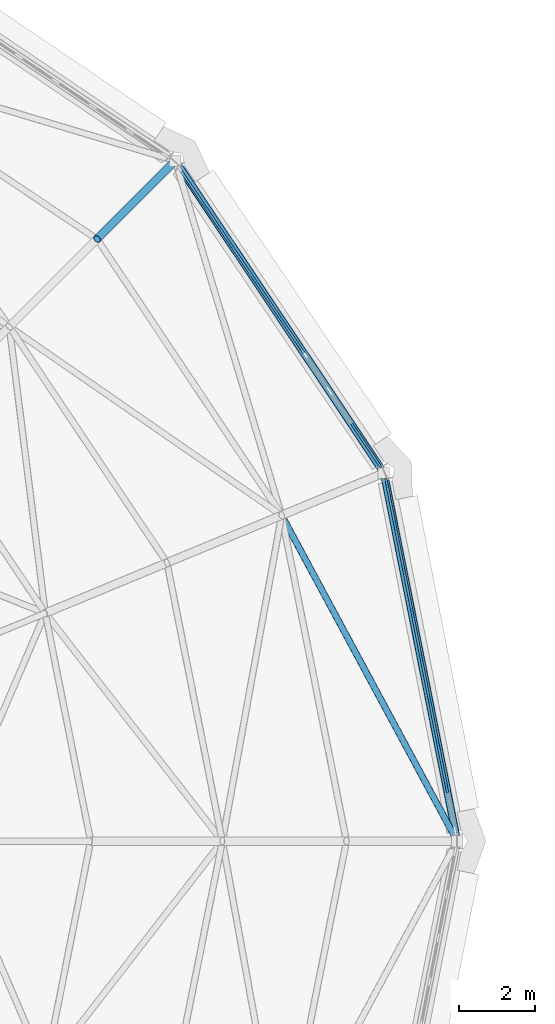
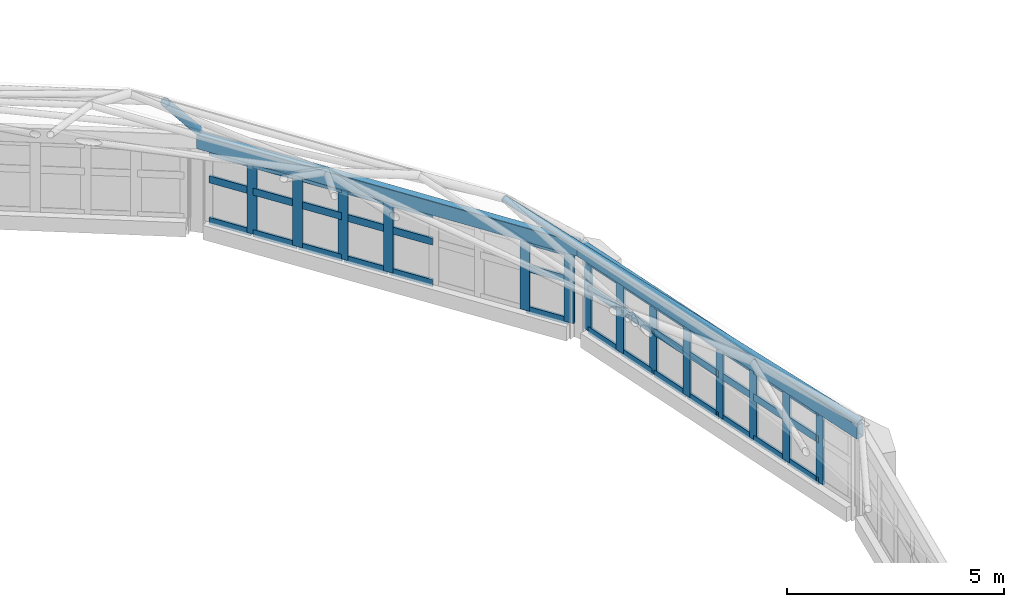
# One storey, part 23 of 68: 55 members, 2 beams, 2 elements without a shape of their own.
"""IFC4 building model written with IfcOpenShell, lengths in metres."""

from ifc_helpers import new_model, si_unit, direction, frame, origin, origin_2d, place, context, subcontext, project, spatial, rectangle, hollow_rectangle, hollow_circle, extrude, material, material_profile, profile_set, type_object, element, aggregate, save


model = new_model("IFC4")

# Units and contexts
model_context = context("Model", 3, precision=1e-05, world=origin(), true_north=direction((0.0, 1.0)))
body_context = subcontext(model_context, "Body", "Model", "MODEL_VIEW")
ifc_project = project(units=[si_unit("LENGTHUNIT", "METRE"), si_unit("AREAUNIT", "SQUARE_METRE"), si_unit("VOLUMEUNIT", "CUBIC_METRE"), si_unit("PLANEANGLEUNIT", "RADIAN"), si_unit("MASSUNIT", "GRAM", prefix="KILO")], contexts=[model_context])

# Site, building, storey
site_placement = place(None, origin())
site = spatial("IfcSite", under=ifc_project, at=site_placement, CompositionType="ELEMENT")
building_placement = place(site_placement, origin())
building = spatial("IfcBuilding", under=site, at=building_placement, Name="Kupolbacken Congress Centre", CompositionType="ELEMENT")
storey_placement = place(building_placement, frame((0.0, 0.0, 25.199951171875)))
storey = spatial("IfcBuildingStorey", under=building, at=storey_placement, Name="L07", CompositionType="ELEMENT", Elevation=25.199951171875)

# Beams
ifc_material_1 = material(Name="Steel S355", Category="steel")
ifc_material_profile_1 = material_profile(ifc_material_1, hollow_rectangle(XDim=0.199951171875, YDim=0.39990234375, WallThickness=0.012451171875, InnerFilletRadius=0.012451171875, OuterFilletRadius=0.018798828125, at=origin_2d()), Name="RHS 400 x 200 x 12.5")
ifc_profile_set_1 = profile_set([ifc_material_profile_1], Name="Steel S355")
beam_type = type_object("IfcBeamType", Name="B19 ring beam RHS 400 x 200 x 12.5", PredefinedType="BEAM", material=ifc_profile_set_1)
for number, where, z_axis, x_axis, name in (
    (1, (68.396240234375, 86.41943359375, 2.590087890625), (-0.195104436388, 0.980782472775, 0.0), (-0.980782472775, -0.195104436388, 0.0), "DM/RB/01"),
    (2, (66.470703125, 96.06005859375, 2.590087890625), (-0.555568614078, 0.831470694042, 0.0), (-0.831470694042, -0.555568614078, 0.0), "DM/RB/02"),
):
    element("IfcBeam", number, at=place(storey_placement, frame(where, z_axis=z_axis, x_axis=x_axis)), inside=storey, type_object=beam_type, Name=name, PredefinedType="BEAM", context=body_context, shape_type="SweptSolid", body=[
        extrude(hollow_rectangle(XDim=0.199951171875, YDim=0.39990234375, WallThickness=0.012451171875, InnerFilletRadius=0.012451171875, OuterFilletRadius=0.018798828125, at=origin_2d()), origin(), (0.0, 0.0, 1.0), 9.79296875),
    ])

# Members
ifc_material_2 = material(Name="Steel S355", Category="steel")
ifc_material_profile_2 = material_profile(ifc_material_2, hollow_circle(Radius=0.109619140625, WallThickness=0.010009765625, at=origin_2d()), Name="CHS 219.1 x 10")
ifc_profile_set_2 = profile_set([ifc_material_profile_2], Name="Steel S355")
member_type_1 = type_object("IfcMemberType", Name="M15 dome rib CHS 219.1 x 10", PredefinedType="BRACE", material=ifc_profile_set_2)
member_1_placement = place(storey_placement, frame((61.01904296875, 104.218994140625, 2.86279296875), z_axis=(-0.514207558918, -0.514207558918, 0.68642637821), x_axis=(0.707106781187, -0.707106781187, 0.0)))
element("IfcMember", 3, at=member_1_placement, inside=storey, type_object=member_type_1, Name="DM/RIB01-03", PredefinedType="BRACE", context=body_context, shape_type="SweptSolid", body=[
    extrude(hollow_circle(Radius=0.109619140625, WallThickness=0.010009765625, at=origin_2d()), origin(), (0.0, 0.0, 1.0), 3.98779296875),
])
ifc_material_3 = material(Name="Steel S355", Category="steel")
ifc_material_profile_3 = material_profile(ifc_material_3, hollow_circle(Radius=0.084228515625, WallThickness=0.008056640625, at=origin_2d()), Name="CHS 168.3 x 8")
ifc_profile_set_3 = profile_set([ifc_material_profile_3], Name="Steel S355")
member_type_2 = type_object("IfcMemberType", Name="M16 dome rib CHS 168.3 x 8", PredefinedType="BRACE", material=ifc_profile_set_3)
member_2_placement = place(storey_placement, frame((68.39990234375, 86.39990234375, 2.86279296875), z_axis=(-0.456427951351, 0.847243324277, 0.271757750016), x_axis=(-0.880375652669, -0.474277039491, 0.0)))
element("IfcMember", 4, at=member_2_placement, inside=storey, type_object=member_type_2, Name="DM/DIA01-01", PredefinedType="BRACE", context=body_context, shape_type="SweptSolid", body=[
    extrude(hollow_circle(Radius=0.084228515625, WallThickness=0.008056640625, at=origin_2d()), origin(), (0.0, 0.0, 1.0), 10.072509765625),
])

# Curtain wall, members
ifc_material_4 = material(Name="Aluminium mullion-transom frame with glass", Category="aluminium")
curtain_wall_type = type_object("IfcCurtainWallType", Name="CW3 curtain wall 9830x3600", PredefinedType="NOTDEFINED", material=ifc_material_4)
curtain_wall_1_placement = place(storey_placement, origin())
curtain_wall_1 = element("IfcCurtainWall", 5, at=curtain_wall_1_placement, inside=storey, type_object=curtain_wall_type, Name="E/P/drum/cw/L07/08", PredefinedType="NOTDEFINED")
ifc_material_5 = material(Name="Aluminium alloy", Category="aluminium")
ifc_material_profile_4 = material_profile(ifc_material_5, rectangle(XDim=0.06005859375, YDim=0.25, at=origin_2d()), Name="60 x 250")
ifc_profile_set_4 = profile_set([ifc_material_profile_4], Name="Aluminium alloy")
member_type_3 = type_object("IfcMemberType", Name="MU3 mullion 60x250", PredefinedType="MULLION", material=ifc_profile_set_4)
member_3_placement = place(storey_placement, frame((68.126220703125, 87.790283203125, 0.400146484375), z_axis=(0.0, 0.0, 1.0), x_axis=(-0.981162875481, -0.193182327812, 0.0)))
member_3 = element("IfcMember", 6, at=member_3_placement, type_object=member_type_3, Name="CW3 mullion 2", PredefinedType="MULLION", context=body_context, shape_type="SweptSolid", body=[
    extrude(rectangle(XDim=0.06005859375, YDim=0.25, at=origin_2d()), origin(), (0.0, 0.0, 1.0), 1.989990234375),
])
member_4_placement = place(storey_placement, frame((67.90087890625, 88.93505859375, 0.400146484375), z_axis=(0.0, 0.0, 1.0), x_axis=(-0.981162875481, -0.193182327812, 0.0)))
member_4 = element("IfcMember", 7, at=member_4_placement, type_object=member_type_3, Name="CW3 mullion 3", PredefinedType="MULLION", context=body_context, shape_type="SweptSolid", body=[
    extrude(rectangle(XDim=0.06005859375, YDim=0.25, at=origin_2d()), origin(), (0.0, 0.0, 1.0), 1.989990234375),
])
member_5_placement = place(storey_placement, frame((67.675537109375, 90.080078125, 0.400146484375), z_axis=(0.0, 0.0, 1.0), x_axis=(-0.981162875481, -0.193182327812, 0.0)))
member_5 = element("IfcMember", 8, at=member_5_placement, type_object=member_type_3, Name="CW3 mullion 4", PredefinedType="MULLION", context=body_context, shape_type="SweptSolid", body=[
    extrude(rectangle(XDim=0.06005859375, YDim=0.25, at=origin_2d()), origin(), (0.0, 0.0, 1.0), 1.989990234375),
])
member_6_placement = place(storey_placement, frame((67.449951171875, 91.22509765625, 0.400146484375), z_axis=(0.0, 0.0, 1.0), x_axis=(-0.981162875481, -0.193182327812, 0.0)))
member_6 = element("IfcMember", 9, at=member_6_placement, type_object=member_type_3, Name="CW3 mullion 5", PredefinedType="MULLION", context=body_context, shape_type="SweptSolid", body=[
    extrude(rectangle(XDim=0.06005859375, YDim=0.25, at=origin_2d()), origin(), (0.0, 0.0, 1.0), 1.989990234375),
])
member_7_placement = place(storey_placement, frame((67.224609375, 92.369873046875, 0.400146484375), z_axis=(0.0, 0.0, 1.0), x_axis=(-0.981162875481, -0.193182327812, 0.0)))
member_7 = element("IfcMember", 10, at=member_7_placement, type_object=member_type_3, Name="CW3 mullion 6", PredefinedType="MULLION", context=body_context, shape_type="SweptSolid", body=[
    extrude(rectangle(XDim=0.06005859375, YDim=0.25, at=origin_2d()), origin(), (0.0, 0.0, 1.0), 1.989990234375),
])
member_8_placement = place(storey_placement, frame((66.999267578125, 93.514892578125, 0.400146484375), z_axis=(0.0, 0.0, 1.0), x_axis=(-0.981162875481, -0.193182327812, 0.0)))
member_8 = element("IfcMember", 11, at=member_8_placement, type_object=member_type_3, Name="CW3 mullion 7", PredefinedType="MULLION", context=body_context, shape_type="SweptSolid", body=[
    extrude(rectangle(XDim=0.06005859375, YDim=0.25, at=origin_2d()), origin(), (0.0, 0.0, 1.0), 1.989990234375),
])
member_9_placement = place(storey_placement, frame((66.773681640625, 94.65966796875, 0.400146484375), z_axis=(0.0, 0.0, 1.0), x_axis=(-0.981162875481, -0.193182327812, 0.0)))
member_9 = element("IfcMember", 12, at=member_9_placement, type_object=member_type_3, Name="CW3 mullion 8", PredefinedType="MULLION", context=body_context, shape_type="SweptSolid", body=[
    extrude(rectangle(XDim=0.06005859375, YDim=0.25, at=origin_2d()), origin(), (0.0, 0.0, 1.0), 1.989990234375),
])
member_10_placement = place(storey_placement, frame((66.55419921875, 95.775390625, 0.400146484375), z_axis=(0.0, 0.0, 1.0), x_axis=(-0.981162875481, -0.193182327812, 0.0)))
member_10 = element("IfcMember", 13, at=member_10_placement, type_object=member_type_3, Name="CW3 mullion 9", PredefinedType="MULLION", context=body_context, shape_type="SweptSolid", body=[
    extrude(rectangle(XDim=0.06005859375, YDim=0.25, at=origin_2d()), origin(), (0.0, 0.0, 1.0), 1.989990234375),
])

curtain_wall_2_placement = place(storey_placement, origin())
curtain_wall_2 = element("IfcCurtainWall", 14, at=curtain_wall_2_placement, inside=storey, type_object=curtain_wall_type, Name="E/P/drum/cw/L07/09", PredefinedType="NOTDEFINED")
member_11_placement = place(storey_placement, frame((66.34326171875, 96.281982421875, 0.400146484375), z_axis=(0.0, 0.0, 1.0), x_axis=(-0.82890762338, -0.559385512775, 0.0)))
member_11 = element("IfcMember", 15, at=member_11_placement, type_object=member_type_3, Name="CW3 mullion 1", PredefinedType="MULLION", context=body_context, shape_type="SweptSolid", body=[
    extrude(rectangle(XDim=0.06005859375, YDim=0.25, at=origin_2d()), origin(), (0.0, 0.0, 1.0), 1.989990234375),
])
member_12_placement = place(storey_placement, frame((65.70751953125, 97.22412109375, 0.400146484375), z_axis=(0.0, 0.0, 1.0), x_axis=(-0.82890762338, -0.559385512775, 0.0)))
member_12 = element("IfcMember", 16, at=member_12_placement, type_object=member_type_3, Name="CW3 mullion 2", PredefinedType="MULLION", context=body_context, shape_type="SweptSolid", body=[
    extrude(rectangle(XDim=0.06005859375, YDim=0.25, at=origin_2d()), origin(), (0.0, 0.0, 1.0), 1.989990234375),
])
member_13_placement = place(storey_placement, frame((63.75, 100.125, 0.400146484375), z_axis=(0.0, 0.0, 1.0), x_axis=(-0.82890762338, -0.559385512775, 0.0)))
member_13 = element("IfcMember", 17, at=member_13_placement, type_object=member_type_3, Name="CW3 mullion 5", PredefinedType="MULLION", context=body_context, shape_type="SweptSolid", body=[
    extrude(rectangle(XDim=0.06005859375, YDim=0.25, at=origin_2d()), origin(), (0.0, 0.0, 1.0), 1.989990234375),
])
member_14_placement = place(storey_placement, frame((63.097412109375, 101.092041015625, 0.400146484375), z_axis=(0.0, 0.0, 1.0), x_axis=(-0.82890762338, -0.559385512775, 0.0)))
member_14 = element("IfcMember", 18, at=member_14_placement, type_object=member_type_3, Name="CW3 mullion 6", PredefinedType="MULLION", context=body_context, shape_type="SweptSolid", body=[
    extrude(rectangle(XDim=0.06005859375, YDim=0.25, at=origin_2d()), origin(), (0.0, 0.0, 1.0), 1.989990234375),
])
member_15_placement = place(storey_placement, frame((62.44482421875, 102.058837890625, 0.400146484375), z_axis=(0.0, 0.0, 1.0), x_axis=(-0.82890762338, -0.559385512775, 0.0)))
member_15 = element("IfcMember", 19, at=member_15_placement, type_object=member_type_3, Name="CW3 mullion 7", PredefinedType="MULLION", context=body_context, shape_type="SweptSolid", body=[
    extrude(rectangle(XDim=0.06005859375, YDim=0.25, at=origin_2d()), origin(), (0.0, 0.0, 1.0), 1.989990234375),
])
member_16_placement = place(storey_placement, frame((61.79248046875, 103.02587890625, 0.400146484375), z_axis=(0.0, 0.0, 1.0), x_axis=(-0.82890762338, -0.559385512775, 0.0)))
member_16 = element("IfcMember", 20, at=member_16_placement, type_object=member_type_3, Name="CW3 mullion 8", PredefinedType="MULLION", context=body_context, shape_type="SweptSolid", body=[
    extrude(rectangle(XDim=0.06005859375, YDim=0.25, at=origin_2d()), origin(), (0.0, 0.0, 1.0), 1.989990234375),
])

# Member
ifc_material_6 = material(Name="Aluminium alloy", Category="aluminium")
ifc_material_profile_5 = material_profile(ifc_material_6, rectangle(XDim=0.06005859375, YDim=0.199951171875, at=origin_2d()), Name="60 x 200")
ifc_profile_set_5 = profile_set([ifc_material_profile_5], Name="Aluminium alloy")
member_type_4 = type_object("IfcMemberType", Name="TR3 transom 60x200", PredefinedType="MULLION", material=ifc_profile_set_5)
member_17_placement = place(storey_placement, frame((68.120361328125, 87.819580078125, 0.429931640625), z_axis=(-0.192976609908, 0.981203357122, 0.0), x_axis=(-0.981203357122, -0.192976609908, 0.0)))
member_17 = element("IfcMember", 21, at=member_17_placement, type_object=member_type_4, Name="CW3 transom 2.1", PredefinedType="MULLION", context=body_context, shape_type="SweptSolid", body=[
    extrude(rectangle(XDim=0.06005859375, YDim=0.199951171875, at=origin_2d()), origin(), (0.0, 0.0, 1.0), 1.10693359375),
])

member_18_placement = place(storey_placement, frame((68.120361328125, 87.819580078125, 1.60009765625), z_axis=(-0.192976609908, 0.981203357122, 0.0), x_axis=(-0.981203357122, -0.192976609908, 0.0)))
member_18 = element("IfcMember", 22, at=member_18_placement, type_object=member_type_4, Name="CW3 transom 2.2", PredefinedType="MULLION", context=body_context, shape_type="SweptSolid", body=[
    extrude(rectangle(XDim=0.06005859375, YDim=0.199951171875, at=origin_2d()), origin(), (0.0, 0.0, 1.0), 1.10693359375),
])

member_19_placement = place(storey_placement, frame((68.120361328125, 87.819580078125, 2.360107421875), z_axis=(-0.192976609908, 0.981203357122, 0.0), x_axis=(-0.981203357122, -0.192976609908, 0.0)))
member_19 = element("IfcMember", 23, at=member_19_placement, type_object=member_type_4, Name="CW3 transom 2.3", PredefinedType="MULLION", context=body_context, shape_type="SweptSolid", body=[
    extrude(rectangle(XDim=0.06005859375, YDim=0.199951171875, at=origin_2d()), origin(), (0.0, 0.0, 1.0), 1.10693359375),
])

member_20_placement = place(storey_placement, frame((67.89501953125, 88.964599609375, 0.429931640625), z_axis=(-0.193230739208, 0.981153342462, 0.0), x_axis=(-0.981153342462, -0.193230739208, 0.0)))
member_20 = element("IfcMember", 24, at=member_20_placement, type_object=member_type_4, Name="CW3 transom 3.1", PredefinedType="MULLION", context=body_context, shape_type="SweptSolid", body=[
    extrude(rectangle(XDim=0.06005859375, YDim=0.199951171875, at=origin_2d()), origin(), (0.0, 0.0, 1.0), 1.106689453125),
])

member_21_placement = place(storey_placement, frame((67.89501953125, 88.964599609375, 1.60009765625), z_axis=(-0.193230739208, 0.981153342462, 0.0), x_axis=(-0.981153342462, -0.193230739208, 0.0)))
member_21 = element("IfcMember", 25, at=member_21_placement, type_object=member_type_4, Name="CW3 transom 3.2", PredefinedType="MULLION", context=body_context, shape_type="SweptSolid", body=[
    extrude(rectangle(XDim=0.06005859375, YDim=0.199951171875, at=origin_2d()), origin(), (0.0, 0.0, 1.0), 1.106689453125),
])

member_22_placement = place(storey_placement, frame((67.89501953125, 88.964599609375, 2.360107421875), z_axis=(-0.193230739208, 0.981153342462, 0.0), x_axis=(-0.981153342462, -0.193230739208, 0.0)))
member_22 = element("IfcMember", 26, at=member_22_placement, type_object=member_type_4, Name="CW3 transom 3.3", PredefinedType="MULLION", context=body_context, shape_type="SweptSolid", body=[
    extrude(rectangle(XDim=0.06005859375, YDim=0.199951171875, at=origin_2d()), origin(), (0.0, 0.0, 1.0), 1.106689453125),
])

member_23_placement = place(storey_placement, frame((67.669677734375, 90.109619140625, 0.429931640625), z_axis=(-0.193230739208, 0.981153342462, 0.0), x_axis=(-0.981153342462, -0.193230739208, 0.0)))
member_23 = element("IfcMember", 27, at=member_23_placement, type_object=member_type_4, Name="CW3 transom 4.1", PredefinedType="MULLION", context=body_context, shape_type="SweptSolid", body=[
    extrude(rectangle(XDim=0.06005859375, YDim=0.199951171875, at=origin_2d()), origin(), (0.0, 0.0, 1.0), 1.106689453125),
])

member_24_placement = place(storey_placement, frame((67.669677734375, 90.109619140625, 1.60009765625), z_axis=(-0.193230739208, 0.981153342462, 0.0), x_axis=(-0.981153342462, -0.193230739208, 0.0)))
member_24 = element("IfcMember", 28, at=member_24_placement, type_object=member_type_4, Name="CW3 transom 4.2", PredefinedType="MULLION", context=body_context, shape_type="SweptSolid", body=[
    extrude(rectangle(XDim=0.06005859375, YDim=0.199951171875, at=origin_2d()), origin(), (0.0, 0.0, 1.0), 1.106689453125),
])

member_25_placement = place(storey_placement, frame((67.669677734375, 90.109619140625, 2.360107421875), z_axis=(-0.193230739208, 0.981153342462, 0.0), x_axis=(-0.981153342462, -0.193230739208, 0.0)))
member_25 = element("IfcMember", 29, at=member_25_placement, type_object=member_type_4, Name="CW3 transom 4.3", PredefinedType="MULLION", context=body_context, shape_type="SweptSolid", body=[
    extrude(rectangle(XDim=0.06005859375, YDim=0.199951171875, at=origin_2d()), origin(), (0.0, 0.0, 1.0), 1.106689453125),
])

member_26_placement = place(storey_placement, frame((67.444091796875, 91.25439453125, 0.429931640625), z_axis=(-0.192976609908, 0.981203357122, 0.0), x_axis=(-0.981203357122, -0.192976609908, 0.0)))
member_26 = element("IfcMember", 30, at=member_26_placement, type_object=member_type_4, Name="CW3 transom 5.1", PredefinedType="MULLION", context=body_context, shape_type="SweptSolid", body=[
    extrude(rectangle(XDim=0.06005859375, YDim=0.199951171875, at=origin_2d()), origin(), (0.0, 0.0, 1.0), 1.10693359375),
])

member_27_placement = place(storey_placement, frame((67.444091796875, 91.25439453125, 1.60009765625), z_axis=(-0.192976609908, 0.981203357122, 0.0), x_axis=(-0.981203357122, -0.192976609908, 0.0)))
member_27 = element("IfcMember", 31, at=member_27_placement, type_object=member_type_4, Name="CW3 transom 5.2", PredefinedType="MULLION", context=body_context, shape_type="SweptSolid", body=[
    extrude(rectangle(XDim=0.06005859375, YDim=0.199951171875, at=origin_2d()), origin(), (0.0, 0.0, 1.0), 1.10693359375),
])

member_28_placement = place(storey_placement, frame((67.444091796875, 91.25439453125, 2.360107421875), z_axis=(-0.192976609908, 0.981203357122, 0.0), x_axis=(-0.981203357122, -0.192976609908, 0.0)))
member_28 = element("IfcMember", 32, at=member_28_placement, type_object=member_type_4, Name="CW3 transom 5.3", PredefinedType="MULLION", context=body_context, shape_type="SweptSolid", body=[
    extrude(rectangle(XDim=0.06005859375, YDim=0.199951171875, at=origin_2d()), origin(), (0.0, 0.0, 1.0), 1.10693359375),
])

member_29_placement = place(storey_placement, frame((67.21875, 92.3994140625, 0.429931640625), z_axis=(-0.193230739208, 0.981153342462, 0.0), x_axis=(-0.981153342462, -0.193230739208, 0.0)))
member_29 = element("IfcMember", 33, at=member_29_placement, type_object=member_type_4, Name="CW3 transom 6.1", PredefinedType="MULLION", context=body_context, shape_type="SweptSolid", body=[
    extrude(rectangle(XDim=0.06005859375, YDim=0.199951171875, at=origin_2d()), origin(), (0.0, 0.0, 1.0), 1.106689453125),
])

member_30_placement = place(storey_placement, frame((67.21875, 92.3994140625, 1.60009765625), z_axis=(-0.193230739208, 0.981153342462, 0.0), x_axis=(-0.981153342462, -0.193230739208, 0.0)))
member_30 = element("IfcMember", 34, at=member_30_placement, type_object=member_type_4, Name="CW3 transom 6.2", PredefinedType="MULLION", context=body_context, shape_type="SweptSolid", body=[
    extrude(rectangle(XDim=0.06005859375, YDim=0.199951171875, at=origin_2d()), origin(), (0.0, 0.0, 1.0), 1.106689453125),
])

member_31_placement = place(storey_placement, frame((67.21875, 92.3994140625, 2.360107421875), z_axis=(-0.193230739208, 0.981153342462, 0.0), x_axis=(-0.981153342462, -0.193230739208, 0.0)))
member_31 = element("IfcMember", 35, at=member_31_placement, type_object=member_type_4, Name="CW3 transom 6.3", PredefinedType="MULLION", context=body_context, shape_type="SweptSolid", body=[
    extrude(rectangle(XDim=0.06005859375, YDim=0.199951171875, at=origin_2d()), origin(), (0.0, 0.0, 1.0), 1.106689453125),
])

member_32_placement = place(storey_placement, frame((66.993408203125, 93.544189453125, 0.429931640625), z_axis=(-0.193188927968, 0.981161575945, 0.0), x_axis=(-0.981161575945, -0.193188927968, 0.0)))
member_32 = element("IfcMember", 36, at=member_32_placement, type_object=member_type_4, Name="CW3 transom 7.1", PredefinedType="MULLION", context=body_context, shape_type="SweptSolid", body=[
    extrude(rectangle(XDim=0.06005859375, YDim=0.199951171875, at=origin_2d()), origin(), (0.0, 0.0, 1.0), 1.10693359375),
])

member_33_placement = place(storey_placement, frame((66.993408203125, 93.544189453125, 1.60009765625), z_axis=(-0.193188927968, 0.981161575945, 0.0), x_axis=(-0.981161575945, -0.193188927968, 0.0)))
member_33 = element("IfcMember", 37, at=member_33_placement, type_object=member_type_4, Name="CW3 transom 7.2", PredefinedType="MULLION", context=body_context, shape_type="SweptSolid", body=[
    extrude(rectangle(XDim=0.06005859375, YDim=0.199951171875, at=origin_2d()), origin(), (0.0, 0.0, 1.0), 1.10693359375),
])

member_34_placement = place(storey_placement, frame((66.993408203125, 93.544189453125, 2.360107421875), z_axis=(-0.193188927968, 0.981161575945, 0.0), x_axis=(-0.981161575945, -0.193188927968, 0.0)))
member_34 = element("IfcMember", 38, at=member_34_placement, type_object=member_type_4, Name="CW3 transom 7.3", PredefinedType="MULLION", context=body_context, shape_type="SweptSolid", body=[
    extrude(rectangle(XDim=0.06005859375, YDim=0.199951171875, at=origin_2d()), origin(), (0.0, 0.0, 1.0), 1.10693359375),
])

member_35_placement = place(storey_placement, frame((66.767822265625, 94.689208984375, 0.429931640625), z_axis=(-0.193150665626, 0.981169108955, 0.0), x_axis=(-0.981169108955, -0.193150665626, 0.0)))
member_35 = element("IfcMember", 39, at=member_35_placement, type_object=member_type_4, Name="CW3 transom 8.1", PredefinedType="MULLION", context=body_context, shape_type="SweptSolid", body=[
    extrude(rectangle(XDim=0.06005859375, YDim=0.199951171875, at=origin_2d()), origin(), (0.0, 0.0, 1.0), 1.076904296875),
])

member_36_placement = place(storey_placement, frame((66.767822265625, 94.689208984375, 1.60009765625), z_axis=(-0.193150665626, 0.981169108955, 0.0), x_axis=(-0.981169108955, -0.193150665626, 0.0)))
member_36 = element("IfcMember", 40, at=member_36_placement, type_object=member_type_4, Name="CW3 transom 8.2", PredefinedType="MULLION", context=body_context, shape_type="SweptSolid", body=[
    extrude(rectangle(XDim=0.06005859375, YDim=0.199951171875, at=origin_2d()), origin(), (0.0, 0.0, 1.0), 1.076904296875),
])

member_37_placement = place(storey_placement, frame((66.767822265625, 94.689208984375, 2.360107421875), z_axis=(-0.193150665626, 0.981169108955, 0.0), x_axis=(-0.981169108955, -0.193150665626, 0.0)))
member_37 = element("IfcMember", 41, at=member_37_placement, type_object=member_type_4, Name="CW3 transom 8.3", PredefinedType="MULLION", context=body_context, shape_type="SweptSolid", body=[
    extrude(rectangle(XDim=0.06005859375, YDim=0.199951171875, at=origin_2d()), origin(), (0.0, 0.0, 1.0), 1.076904296875),
])

aggregate(curtain_wall_1, [member_3, member_4, member_5, member_6, member_7, member_8, member_9, member_10, member_17, member_18, member_19, member_20, member_21, member_22, member_23, member_24, member_25, member_26, member_27, member_28, member_29, member_30, member_31, member_32, member_33, member_34, member_35, member_36, member_37])

member_38_placement = place(storey_placement, frame((66.32666015625, 96.306884765625, 0.429931640625), z_axis=(-0.559453380842, 0.8288618188, 0.0), x_axis=(-0.8288618188, -0.559453380842, 0.0)))
member_38 = element("IfcMember", 42, at=member_38_placement, type_object=member_type_4, Name="CW3 transom 1.1", PredefinedType="MULLION", context=body_context, shape_type="SweptSolid", body=[
    extrude(rectangle(XDim=0.06005859375, YDim=0.199951171875, at=origin_2d()), origin(), (0.0, 0.0, 1.0), 1.07666015625),
])

member_39_placement = place(storey_placement, frame((66.32666015625, 96.306884765625, 1.60009765625), z_axis=(-0.559453380842, 0.8288618188, 0.0), x_axis=(-0.8288618188, -0.559453380842, 0.0)))
member_39 = element("IfcMember", 43, at=member_39_placement, type_object=member_type_4, Name="CW3 transom 1.2", PredefinedType="MULLION", context=body_context, shape_type="SweptSolid", body=[
    extrude(rectangle(XDim=0.06005859375, YDim=0.199951171875, at=origin_2d()), origin(), (0.0, 0.0, 1.0), 1.07666015625),
])

member_40_placement = place(storey_placement, frame((66.32666015625, 96.306884765625, 2.360107421875), z_axis=(-0.559453380842, 0.8288618188, 0.0), x_axis=(-0.8288618188, -0.559453380842, 0.0)))
member_40 = element("IfcMember", 44, at=member_40_placement, type_object=member_type_4, Name="CW3 transom 1.3", PredefinedType="MULLION", context=body_context, shape_type="SweptSolid", body=[
    extrude(rectangle(XDim=0.06005859375, YDim=0.199951171875, at=origin_2d()), origin(), (0.0, 0.0, 1.0), 1.07666015625),
])

member_41_placement = place(storey_placement, frame((64.3857421875, 99.182861328125, 0.429931640625), z_axis=(-0.559325057342, 0.828948418317, 0.0), x_axis=(-0.828948418317, -0.559325057342, 0.0)))
member_41 = element("IfcMember", 45, at=member_41_placement, type_object=member_type_4, Name="CW3 transom 4.1", PredefinedType="MULLION", context=body_context, shape_type="SweptSolid", body=[
    extrude(rectangle(XDim=0.06005859375, YDim=0.199951171875, at=origin_2d()), origin(), (0.0, 0.0, 1.0), 1.1064453125),
])

member_42_placement = place(storey_placement, frame((64.3857421875, 99.182861328125, 1.60009765625), z_axis=(-0.559325057342, 0.828948418317, 0.0), x_axis=(-0.828948418317, -0.559325057342, 0.0)))
member_42 = element("IfcMember", 46, at=member_42_placement, type_object=member_type_4, Name="CW3 transom 4.2", PredefinedType="MULLION", context=body_context, shape_type="SweptSolid", body=[
    extrude(rectangle(XDim=0.06005859375, YDim=0.199951171875, at=origin_2d()), origin(), (0.0, 0.0, 1.0), 1.1064453125),
])

member_43_placement = place(storey_placement, frame((64.3857421875, 99.182861328125, 2.360107421875), z_axis=(-0.559325057342, 0.828948418317, 0.0), x_axis=(-0.828948418317, -0.559325057342, 0.0)))
member_43 = element("IfcMember", 47, at=member_43_placement, type_object=member_type_4, Name="CW3 transom 4.3", PredefinedType="MULLION", context=body_context, shape_type="SweptSolid", body=[
    extrude(rectangle(XDim=0.06005859375, YDim=0.199951171875, at=origin_2d()), origin(), (0.0, 0.0, 1.0), 1.1064453125),
])

member_44_placement = place(storey_placement, frame((63.733154296875, 100.14990234375, 0.429931640625), z_axis=(-0.559325057342, 0.828948418317, 0.0), x_axis=(-0.828948418317, -0.559325057342, 0.0)))
member_44 = element("IfcMember", 48, at=member_44_placement, type_object=member_type_4, Name="CW3 transom 5.1", PredefinedType="MULLION", context=body_context, shape_type="SweptSolid", body=[
    extrude(rectangle(XDim=0.06005859375, YDim=0.199951171875, at=origin_2d()), origin(), (0.0, 0.0, 1.0), 1.1064453125),
])

member_45_placement = place(storey_placement, frame((63.733154296875, 100.14990234375, 1.60009765625), z_axis=(-0.559325057342, 0.828948418317, 0.0), x_axis=(-0.828948418317, -0.559325057342, 0.0)))
member_45 = element("IfcMember", 49, at=member_45_placement, type_object=member_type_4, Name="CW3 transom 5.2", PredefinedType="MULLION", context=body_context, shape_type="SweptSolid", body=[
    extrude(rectangle(XDim=0.06005859375, YDim=0.199951171875, at=origin_2d()), origin(), (0.0, 0.0, 1.0), 1.1064453125),
])

member_46_placement = place(storey_placement, frame((63.733154296875, 100.14990234375, 2.360107421875), z_axis=(-0.559325057342, 0.828948418317, 0.0), x_axis=(-0.828948418317, -0.559325057342, 0.0)))
member_46 = element("IfcMember", 50, at=member_46_placement, type_object=member_type_4, Name="CW3 transom 5.3", PredefinedType="MULLION", context=body_context, shape_type="SweptSolid", body=[
    extrude(rectangle(XDim=0.06005859375, YDim=0.199951171875, at=origin_2d()), origin(), (0.0, 0.0, 1.0), 1.1064453125),
])

member_47_placement = place(storey_placement, frame((63.08056640625, 101.11669921875, 0.429931640625), z_axis=(-0.559325057342, 0.828948418317, 0.0), x_axis=(-0.828948418317, -0.559325057342, 0.0)))
member_47 = element("IfcMember", 51, at=member_47_placement, type_object=member_type_4, Name="CW3 transom 6.1", PredefinedType="MULLION", context=body_context, shape_type="SweptSolid", body=[
    extrude(rectangle(XDim=0.06005859375, YDim=0.199951171875, at=origin_2d()), origin(), (0.0, 0.0, 1.0), 1.1064453125),
])

member_48_placement = place(storey_placement, frame((63.08056640625, 101.11669921875, 1.60009765625), z_axis=(-0.559325057342, 0.828948418317, 0.0), x_axis=(-0.828948418317, -0.559325057342, 0.0)))
member_48 = element("IfcMember", 52, at=member_48_placement, type_object=member_type_4, Name="CW3 transom 6.2", PredefinedType="MULLION", context=body_context, shape_type="SweptSolid", body=[
    extrude(rectangle(XDim=0.06005859375, YDim=0.199951171875, at=origin_2d()), origin(), (0.0, 0.0, 1.0), 1.1064453125),
])

member_49_placement = place(storey_placement, frame((63.08056640625, 101.11669921875, 2.360107421875), z_axis=(-0.559325057342, 0.828948418317, 0.0), x_axis=(-0.828948418317, -0.559325057342, 0.0)))
member_49 = element("IfcMember", 53, at=member_49_placement, type_object=member_type_4, Name="CW3 transom 6.3", PredefinedType="MULLION", context=body_context, shape_type="SweptSolid", body=[
    extrude(rectangle(XDim=0.06005859375, YDim=0.199951171875, at=origin_2d()), origin(), (0.0, 0.0, 1.0), 1.1064453125),
])

member_50_placement = place(storey_placement, frame((62.42822265625, 102.083740234375, 0.429931640625), z_axis=(-0.559476643983, 0.8288461165, 0.0), x_axis=(-0.8288461165, -0.559476643983, 0.0)))
member_50 = element("IfcMember", 54, at=member_50_placement, type_object=member_type_4, Name="CW3 transom 7.1", PredefinedType="MULLION", context=body_context, shape_type="SweptSolid", body=[
    extrude(rectangle(XDim=0.06005859375, YDim=0.199951171875, at=origin_2d()), origin(), (0.0, 0.0, 1.0), 1.106689453125),
])

member_51_placement = place(storey_placement, frame((62.42822265625, 102.083740234375, 1.60009765625), z_axis=(-0.559476643983, 0.8288461165, 0.0), x_axis=(-0.8288461165, -0.559476643983, 0.0)))
member_51 = element("IfcMember", 55, at=member_51_placement, type_object=member_type_4, Name="CW3 transom 7.2", PredefinedType="MULLION", context=body_context, shape_type="SweptSolid", body=[
    extrude(rectangle(XDim=0.06005859375, YDim=0.199951171875, at=origin_2d()), origin(), (0.0, 0.0, 1.0), 1.106689453125),
])

member_52_placement = place(storey_placement, frame((62.42822265625, 102.083740234375, 2.360107421875), z_axis=(-0.559476643983, 0.8288461165, 0.0), x_axis=(-0.8288461165, -0.559476643983, 0.0)))
member_52 = element("IfcMember", 56, at=member_52_placement, type_object=member_type_4, Name="CW3 transom 7.3", PredefinedType="MULLION", context=body_context, shape_type="SweptSolid", body=[
    extrude(rectangle(XDim=0.06005859375, YDim=0.199951171875, at=origin_2d()), origin(), (0.0, 0.0, 1.0), 1.106689453125),
])

member_53_placement = place(storey_placement, frame((61.775634765625, 103.05078125, 0.429931640625), z_axis=(-0.559453380842, 0.8288618188, 0.0), x_axis=(-0.8288618188, -0.559453380842, 0.0)))
member_53 = element("IfcMember", 57, at=member_53_placement, type_object=member_type_4, Name="CW3 transom 8.1", PredefinedType="MULLION", context=body_context, shape_type="SweptSolid", body=[
    extrude(rectangle(XDim=0.06005859375, YDim=0.199951171875, at=origin_2d()), origin(), (0.0, 0.0, 1.0), 1.07666015625),
])

member_54_placement = place(storey_placement, frame((61.775634765625, 103.05078125, 1.60009765625), z_axis=(-0.559453380842, 0.8288618188, 0.0), x_axis=(-0.8288618188, -0.559453380842, 0.0)))
member_54 = element("IfcMember", 58, at=member_54_placement, type_object=member_type_4, Name="CW3 transom 8.2", PredefinedType="MULLION", context=body_context, shape_type="SweptSolid", body=[
    extrude(rectangle(XDim=0.06005859375, YDim=0.199951171875, at=origin_2d()), origin(), (0.0, 0.0, 1.0), 1.07666015625),
])

member_55_placement = place(storey_placement, frame((61.775634765625, 103.05078125, 2.360107421875), z_axis=(-0.559453380842, 0.8288618188, 0.0), x_axis=(-0.8288618188, -0.559453380842, 0.0)))
member_55 = element("IfcMember", 59, at=member_55_placement, type_object=member_type_4, Name="CW3 transom 8.3", PredefinedType="MULLION", context=body_context, shape_type="SweptSolid", body=[
    extrude(rectangle(XDim=0.06005859375, YDim=0.199951171875, at=origin_2d()), origin(), (0.0, 0.0, 1.0), 1.07666015625),
])

aggregate(curtain_wall_2, [member_11, member_12, member_13, member_14, member_15, member_16, member_38, member_39, member_40, member_41, member_42, member_43, member_44, member_45, member_46, member_47, member_48, member_49, member_50, member_51, member_52, member_53, member_54, member_55])

save(model, "model.ifc")
